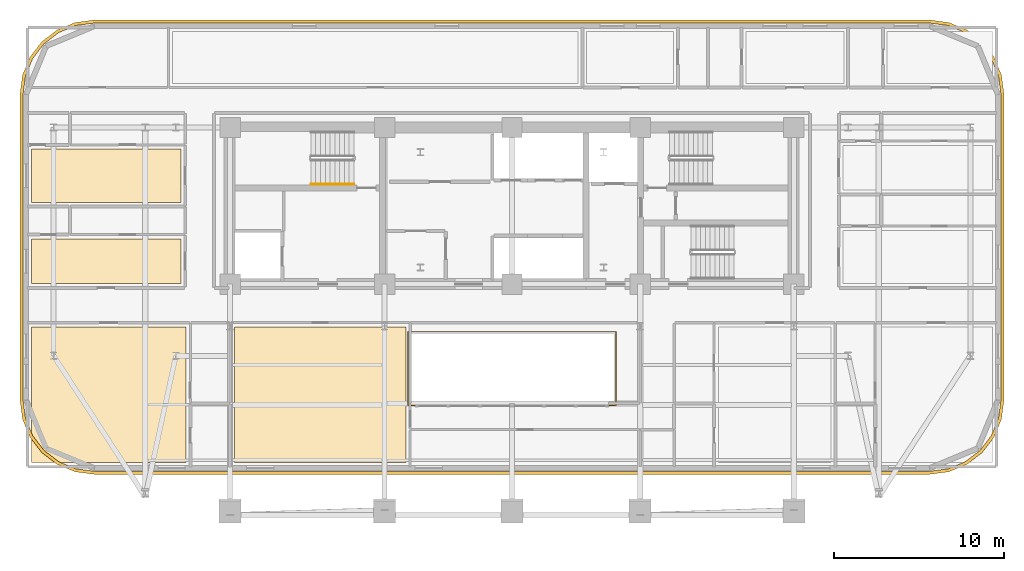
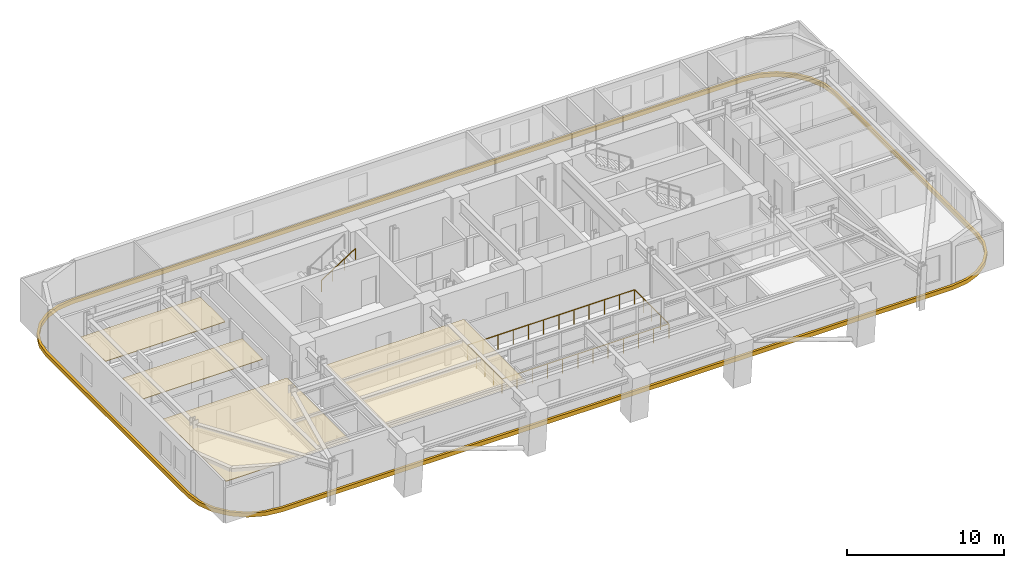
# One storey, part 12 of 14: 5 coverings, 2 railings.
"""IFC4 building model written with IfcOpenShell, lengths in metres."""

from ifc_helpers import new_model, si_unit, direction, frame, origin, origin_2d, place, context, subcontext, project, spatial, polyline, rectangle, outline, extrude, material, layer, layer_set, type_object, element, save


model = new_model("IFC4")

# Units and contexts
model_context = context("Model", 3, precision=1e-05, world=origin(), true_north=direction((0.0, 1.0)))
body_context = subcontext(model_context, "Body", "Model", "MODEL_VIEW")
ifc_project = project(units=[si_unit("LENGTHUNIT", "METRE"), si_unit("AREAUNIT", "SQUARE_METRE"), si_unit("VOLUMEUNIT", "CUBIC_METRE"), si_unit("PLANEANGLEUNIT", "RADIAN"), si_unit("MASSUNIT", "GRAM", prefix="KILO")], contexts=[model_context])

# Site, building, storey
site_placement = place(None, origin())
site = spatial("IfcSite", under=ifc_project, at=site_placement, CompositionType="ELEMENT")
building_placement = place(site_placement, origin())
building = spatial("IfcBuilding", under=site, at=building_placement, Name="Zarnavel Station Tower", CompositionType="ELEMENT")
storey_placement = place(building_placement, frame((0.0, 0.0, 129.300048828125)))
storey = spatial("IfcBuildingStorey", under=building, at=storey_placement, Name="L35", CompositionType="ELEMENT", Elevation=129.300048828125)

# Coverings
ifc_material_1 = material(Name="Perforated Gypsum and Mineral-Wool Acoustic Ceiling", Category="concrete")
ifc_layer = layer(ifc_material_1, 0.0400390625)
ifc_layer_set = layer_set([ifc_layer], Name="COV_CEIL_ACOUSTIC")
covering_type_1 = type_object("IfcCoveringType", Name="COV_CEIL_ACOUSTIC", PredefinedType="CEILING", material=ifc_layer_set)
covering_1_placement = place(storey_placement, frame((0.0, 0.0, 2.9599609375)))
element("IfcCovering", 1, at=covering_1_placement, inside=storey, type_object=covering_type_1, Name="L35 FNW1R Acoustic Ceiling", PredefinedType="CEILING", context=body_context, shape_type="SweptSolid", body=[
    extrude(outline(polyline([(0.510009765625, 27.85009765625), (9.300048828125, 27.85009765625), (9.300048828125, 30.490966796875), (0.510009765625, 30.490966796875), (0.510009765625, 27.85009765625)])), origin(), (0.0, 0.0, 1.0), 0.0400390625),
])
covering_2_placement = place(storey_placement, frame((0.0, 0.0, 2.9599609375)))
element("IfcCovering", 2, at=covering_2_placement, inside=storey, type_object=covering_type_1, Name="L35 FNW2R Acoustic Ceiling", PredefinedType="CEILING", context=body_context, shape_type="SweptSolid", body=[
    extrude(outline(polyline([(0.510009765625, 32.64111328125), (9.300048828125, 32.64111328125), (9.300048828125, 35.777099609375), (0.510009765625, 35.777099609375), (0.510009765625, 32.64111328125)])), origin(), (0.0, 0.0, 1.0), 0.0400390625),
])
covering_3_placement = place(storey_placement, frame((0.0, 0.0, 2.9599609375)))
element("IfcCovering", 3, at=covering_3_placement, inside=storey, type_object=covering_type_1, Name="L35 HW1R Acoustic Ceiling", PredefinedType="CEILING", context=body_context, shape_type="SweptSolid", body=[
    extrude(outline(polyline([(0.510009765625, 17.31005859375), (9.60009765625, 17.31005859375), (9.60009765625, 25.300048828125), (0.510009765625, 25.300048828125), (0.510009765625, 17.31005859375)])), origin(), (0.0, 0.0, 1.0), 0.0400390625),
])
covering_4_placement = place(storey_placement, frame((0.0, 0.0, 2.9599609375)))
element("IfcCovering", 4, at=covering_4_placement, inside=storey, type_object=covering_type_1, Name="L35 L35OFF Acoustic Ceiling", PredefinedType="CEILING", context=body_context, shape_type="SweptSolid", body=[
    extrude(outline(polyline([(12.449951171875, 17.31005859375), (22.550048828125, 17.31005859375), (22.550048828125, 25.300048828125), (12.449951171875, 25.300048828125), (12.449951171875, 17.31005859375)])), origin(), (0.0, 0.0, 1.0), 0.0400390625),
])
ifc_material_2 = material(Name="Precast concrete C45/55 (Pale Travertine Slab Band)", Category="masonry")
covering_type_2 = type_object("IfcCoveringType", Name="COV_TRAVERTINE_BAND", PredefinedType="CLADDING", material=ifc_material_2)
covering_5_placement = place(storey_placement, frame((0.0, 0.0, -0.260009765625)))
element("IfcCovering", 5, at=covering_5_placement, inside=storey, type_object=covering_type_2, Name="L35 Pale Travertine Slab-Edge Band", PredefinedType="CLADDING", context=body_context, shape_type="SweptSolid", body=[
    extrude(outline(polyline([(53.39990234375, 16.6201171875), (54.53369140625, 16.769287109375), (55.590087890625, 17.206787109375), (56.4970703125, 17.90283203125), (57.193115234375, 18.81005859375), (57.630859375, 19.866455078125), (57.780029296875, 21.0), (57.780029296875, 39.0), (57.630859375, 40.133544921875), (57.193115234375, 41.18994140625), (56.4970703125, 42.09716796875), (55.590087890625, 42.793212890625), (54.53369140625, 43.230712890625), (53.39990234375, 43.3798828125), (4.199951171875, 43.3798828125), (3.06640625, 43.230712890625), (2.010009765625, 42.793212890625), (1.102783203125, 42.09716796875), (0.40673828125, 41.18994140625), (-0.03076171875, 40.133544921875), (-0.179931640625, 39.0), (-0.179931640625, 21.0), (-0.03076171875, 19.866455078125), (0.40673828125, 18.81005859375), (1.102783203125, 17.90283203125), (2.010009765625, 17.206787109375), (3.06640625, 16.769287109375), (4.199951171875, 16.6201171875), (53.39990234375, 16.6201171875)]), holes=[polyline([(53.39990234375, 16.800048828125), (54.487060546875, 16.943115234375), (55.5, 17.36279296875), (56.369873046875, 18.0302734375), (57.037353515625, 18.89990234375), (57.456787109375, 19.9130859375), (57.60009765625, 21.0), (57.60009765625, 39.0), (57.456787109375, 40.0869140625), (57.037353515625, 41.10009765625), (56.369873046875, 41.9697265625), (55.5, 42.63720703125), (54.487060546875, 43.056884765625), (53.39990234375, 43.199951171875), (4.199951171875, 43.199951171875), (3.113037109375, 43.056884765625), (2.10009765625, 42.63720703125), (1.230224609375, 41.9697265625), (0.562744140625, 41.10009765625), (0.14306640625, 40.0869140625), (0.0, 39.0), (0.0, 21.0), (0.14306640625, 19.9130859375), (0.562744140625, 18.89990234375), (1.230224609375, 18.0302734375), (2.10009765625, 17.36279296875), (3.113037109375, 16.943115234375), (4.199951171875, 16.800048828125), (53.39990234375, 16.800048828125)])]), origin(), (0.0, 0.0, 1.0), 0.320068359375),
])

# Railings
ifc_material_3 = material(Name="Painted Steel S355J2 Balustrade", Category="steel")
railing_type_1 = type_object("IfcRailingType", Name="GR_INT_1150", PredefinedType="GUARDRAIL", material=ifc_material_3)
railing_1_placement = place(storey_placement, frame((22.679931640625, 20.679931640625, 0.0)))
element("IfcRailing", 6, at=railing_1_placement, inside=storey, type_object=railing_type_1, Name="L35 Atrium Void Guardrail", PredefinedType="GUARDRAIL", context=body_context, shape_type="SweptSolid", body=[
    extrude(rectangle(XDim=0.048095703125, YDim=0.048095703125, at=origin_2d()), frame((0.001953125, 0.0, 1.1259765625), z_axis=(1.0, 0.0, 0.0), x_axis=(0.0, 1.0, 0.0)), (0.0, 0.0, 1.0), 12.236083984375),
    extrude(rectangle(XDim=0.048095703125, YDim=0.048095703125, at=origin_2d()), frame((12.239990234375, 0.001953125, 1.1259765625), z_axis=(0.0, 1.0, 0.0), x_axis=(-1.0, 0.0, 0.0)), (0.0, 0.0, 1.0), 4.336181640625),
    extrude(rectangle(XDim=0.048095703125, YDim=0.048095703125, at=origin_2d()), frame((12.238037109375, 4.340087890625, 1.1259765625), z_axis=(-1.0, 0.0, 0.0), x_axis=(0.0, -1.0, 0.0)), (0.0, 0.0, 1.0), 12.236083984375),
    extrude(rectangle(XDim=0.048095703125, YDim=0.048095703125, at=origin_2d()), frame((0.0, 4.338134765625, 1.1259765625), z_axis=(0.0, -1.0, 0.0), x_axis=(1.0, 0.0, 0.0)), (0.0, 0.0, 1.0), 4.336181640625),
    extrude(rectangle(XDim=0.0419921875, YDim=0.0419921875, at=origin_2d()), origin(), (0.0, 0.0, 1.0), 1.101806640625),
    extrude(rectangle(XDim=0.0419921875, YDim=0.0419921875, at=origin_2d()), frame((1.11279296875, 0.0, 0.0)), (0.0, 0.0, 1.0), 1.101806640625),
    extrude(rectangle(XDim=0.0419921875, YDim=0.0419921875, at=origin_2d()), frame((2.225341796875, 0.0, 0.0)), (0.0, 0.0, 1.0), 1.101806640625),
    extrude(rectangle(XDim=0.0419921875, YDim=0.0419921875, at=origin_2d()), frame((3.338134765625, 0.0, 0.0)), (0.0, 0.0, 1.0), 1.101806640625),
    extrude(rectangle(XDim=0.0419921875, YDim=0.0419921875, at=origin_2d()), frame((4.450927734375, 0.0, 0.0)), (0.0, 0.0, 1.0), 1.101806640625),
    extrude(rectangle(XDim=0.0419921875, YDim=0.0419921875, at=origin_2d()), frame((5.563720703125, 0.0, 0.0)), (0.0, 0.0, 1.0), 1.101806640625),
    extrude(rectangle(XDim=0.0419921875, YDim=0.0419921875, at=origin_2d()), frame((6.67626953125, 0.0, 0.0)), (0.0, 0.0, 1.0), 1.101806640625),
    extrude(rectangle(XDim=0.0419921875, YDim=0.0419921875, at=origin_2d()), frame((7.7890625, 0.0, 0.0)), (0.0, 0.0, 1.0), 1.101806640625),
    extrude(rectangle(XDim=0.0419921875, YDim=0.0419921875, at=origin_2d()), frame((8.90185546875, 0.0, 0.0)), (0.0, 0.0, 1.0), 1.101806640625),
    extrude(rectangle(XDim=0.0419921875, YDim=0.0419921875, at=origin_2d()), frame((10.0146484375, 0.0, 0.0)), (0.0, 0.0, 1.0), 1.101806640625),
    extrude(rectangle(XDim=0.0419921875, YDim=0.0419921875, at=origin_2d()), frame((11.127197265625, 0.0, 0.0)), (0.0, 0.0, 1.0), 1.101806640625),
    extrude(rectangle(XDim=0.0419921875, YDim=0.0419921875, at=origin_2d()), frame((12.239990234375, 0.0, 0.0)), (0.0, 0.0, 1.0), 1.101806640625),
    extrude(rectangle(XDim=0.0419921875, YDim=0.0419921875, at=origin_2d()), frame((12.239990234375, 1.0849609375, 0.0)), (0.0, 0.0, 1.0), 1.101806640625),
    extrude(rectangle(XDim=0.0419921875, YDim=0.0419921875, at=origin_2d()), frame((12.239990234375, 2.169921875, 0.0)), (0.0, 0.0, 1.0), 1.101806640625),
    extrude(rectangle(XDim=0.0419921875, YDim=0.0419921875, at=origin_2d()), frame((12.239990234375, 3.255126953125, 0.0)), (0.0, 0.0, 1.0), 1.101806640625),
    extrude(rectangle(XDim=0.0419921875, YDim=0.0419921875, at=origin_2d()), frame((12.239990234375, 4.340087890625, 0.0)), (0.0, 0.0, 1.0), 1.101806640625),
    extrude(rectangle(XDim=0.0419921875, YDim=0.0419921875, at=origin_2d()), frame((11.127197265625, 4.340087890625, 0.0)), (0.0, 0.0, 1.0), 1.101806640625),
    extrude(rectangle(XDim=0.0419921875, YDim=0.0419921875, at=origin_2d()), frame((10.0146484375, 4.340087890625, 0.0)), (0.0, 0.0, 1.0), 1.101806640625),
    extrude(rectangle(XDim=0.0419921875, YDim=0.0419921875, at=origin_2d()), frame((8.90185546875, 4.340087890625, 0.0)), (0.0, 0.0, 1.0), 1.101806640625),
    extrude(rectangle(XDim=0.0419921875, YDim=0.0419921875, at=origin_2d()), frame((7.7890625, 4.340087890625, 0.0)), (0.0, 0.0, 1.0), 1.101806640625),
    extrude(rectangle(XDim=0.0419921875, YDim=0.0419921875, at=origin_2d()), frame((6.67626953125, 4.340087890625, 0.0)), (0.0, 0.0, 1.0), 1.101806640625),
    extrude(rectangle(XDim=0.0419921875, YDim=0.0419921875, at=origin_2d()), frame((5.563720703125, 4.340087890625, 0.0)), (0.0, 0.0, 1.0), 1.101806640625),
    extrude(rectangle(XDim=0.0419921875, YDim=0.0419921875, at=origin_2d()), frame((4.450927734375, 4.340087890625, 0.0)), (0.0, 0.0, 1.0), 1.101806640625),
    extrude(rectangle(XDim=0.0419921875, YDim=0.0419921875, at=origin_2d()), frame((3.338134765625, 4.340087890625, 0.0)), (0.0, 0.0, 1.0), 1.101806640625),
    extrude(rectangle(XDim=0.0419921875, YDim=0.0419921875, at=origin_2d()), frame((2.225341796875, 4.340087890625, 0.0)), (0.0, 0.0, 1.0), 1.101806640625),
    extrude(rectangle(XDim=0.0419921875, YDim=0.0419921875, at=origin_2d()), frame((1.11279296875, 4.340087890625, 0.0)), (0.0, 0.0, 1.0), 1.101806640625),
    extrude(rectangle(XDim=0.0419921875, YDim=0.0419921875, at=origin_2d()), frame((0.0, 4.340087890625, 0.0)), (0.0, 0.0, 1.0), 1.101806640625),
    extrude(rectangle(XDim=0.0419921875, YDim=0.0419921875, at=origin_2d()), frame((0.0, 3.255126953125, 0.0)), (0.0, 0.0, 1.0), 1.101806640625),
    extrude(rectangle(XDim=0.0419921875, YDim=0.0419921875, at=origin_2d()), frame((0.0, 2.169921875, 0.0)), (0.0, 0.0, 1.0), 1.101806640625),
    extrude(rectangle(XDim=0.0419921875, YDim=0.0419921875, at=origin_2d()), frame((0.0, 1.0849609375, 0.0)), (0.0, 0.0, 1.0), 1.101806640625),
])
ifc_material_4 = material(Name="Brushed Stainless Steel S355J2 Handrail", Category="steel")
railing_type_2 = type_object("IfcRailingType", Name="HR_STAIR_900", PredefinedType="HANDRAIL", material=ifc_material_4)
railing_2_placement = place(storey_placement, frame((16.9599609375, 33.7099609375, 1.97998046875)))
element("IfcRailing", 7, at=railing_2_placement, inside=storey, type_object=railing_type_2, Name="L35 ST1 stair handrail 2", PredefinedType="HANDRAIL", context=body_context, shape_type="SweptSolid", body=[
    extrude(rectangle(XDim=0.048095703125, YDim=0.048095703125, at=origin_2d()), frame((0.001708984375, 0.0, 0.876953125), z_axis=(0.841199657755, 0.0, 0.540724639528), x_axis=(0.0, 1.0, 0.0)), (0.0, 0.0, 1.0), 2.99169921875),
    extrude(rectangle(XDim=0.0419921875, YDim=0.0419921875, at=origin_2d()), origin(), (0.0, 0.0, 1.0), 0.851806640625),
    extrude(rectangle(XDim=0.0419921875, YDim=0.0419921875, at=origin_2d()), frame((0.840087890625, 0.0, 0.5400390625)), (0.0, 0.0, 1.0), 0.851806640625),
    extrude(rectangle(XDim=0.0419921875, YDim=0.0419921875, at=origin_2d()), frame((1.679931640625, 0.0, 1.079833984375)), (0.0, 0.0, 1.0), 0.851806640625),
    extrude(rectangle(XDim=0.0419921875, YDim=0.0419921875, at=origin_2d()), frame((2.52001953125, 0.0, 1.619873046875)), (0.0, 0.0, 1.0), 0.851806640625),
])

save(model, "model.ifc")
